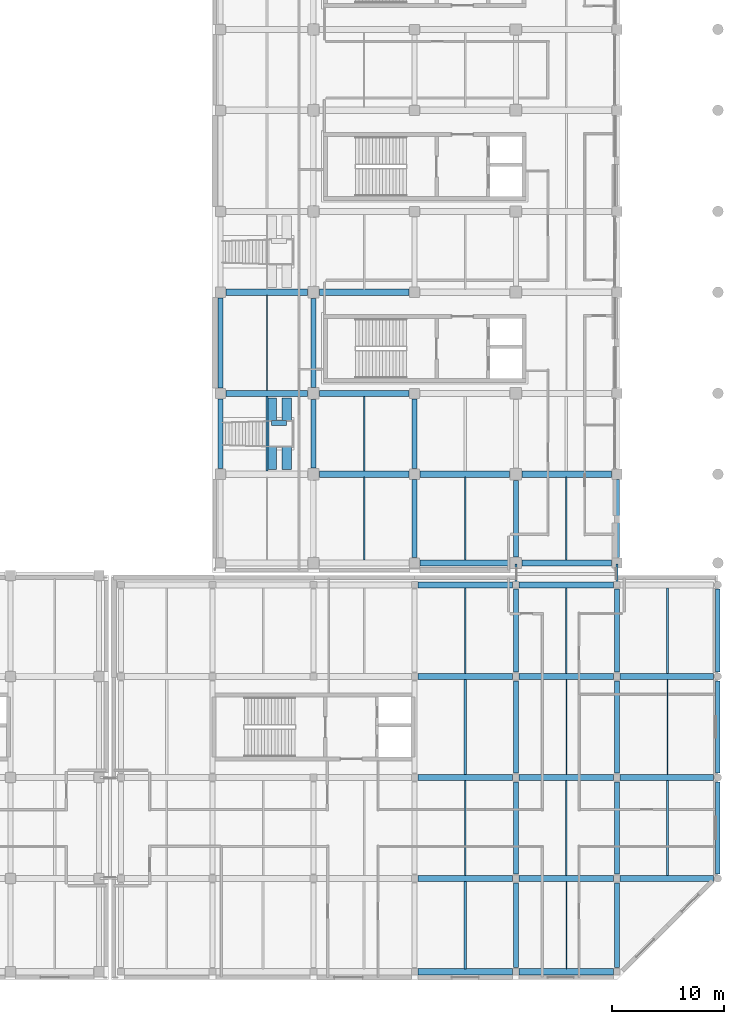
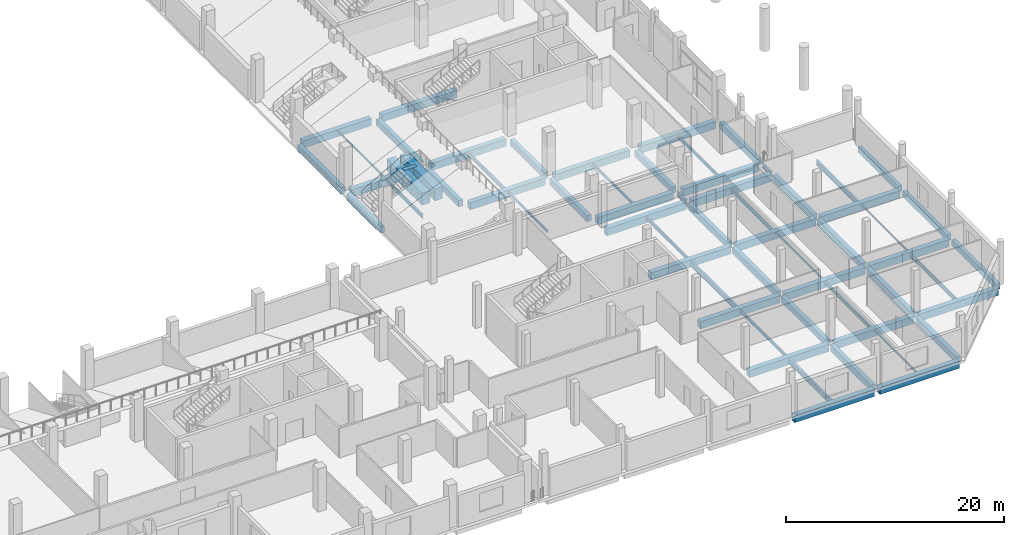
# One storey, part 21 of 100: 63 beams.
"""IFC4 building model written with IfcOpenShell, lengths in metres."""

from ifc_helpers import new_model, si_unit, direction, frame, origin, origin_2d, place, context, subcontext, project, spatial, rectangle, hollow_rectangle, i_section, extrude, material, material_profile, profile_set, type_object, element, save


model = new_model("IFC4")

# Units and contexts
model_context = context("Model", 3, precision=1e-05, world=origin(), true_north=direction((0.0, 1.0)))
body_context = subcontext(model_context, "Body", "Model", "MODEL_VIEW")
ifc_project = project(units=[si_unit("LENGTHUNIT", "METRE"), si_unit("AREAUNIT", "SQUARE_METRE"), si_unit("VOLUMEUNIT", "CUBIC_METRE"), si_unit("PLANEANGLEUNIT", "RADIAN"), si_unit("MASSUNIT", "GRAM", prefix="KILO"), si_unit("THERMODYNAMICTEMPERATUREUNIT", "KELVIN"), si_unit("POWERUNIT", "WATT")], contexts=[model_context])

# Site, building, storey
site_placement = place(None, origin())
site = spatial("IfcSite", under=ifc_project, at=site_placement, CompositionType="ELEMENT")
building_placement = place(site_placement, origin())
building = spatial("IfcBuilding", under=site, at=building_placement, Name="Sindhuravela Promenade Stadium", CompositionType="ELEMENT")
storey_placement = place(building_placement, frame((0.0, 0.0, 4.800048828125)))
storey = spatial("IfcBuildingStorey", under=building, at=storey_placement, Name="L01", CompositionType="ELEMENT", Elevation=4.800048828125)

# Beams
ifc_material_1 = material(Name="Concrete M40", Category="concrete")
ifc_material_profile_1 = material_profile(ifc_material_1, rectangle(XDim=0.39990234375, YDim=0.64990234375, at=origin_2d()), Name="RC 400x650")
ifc_profile_set_1 = profile_set([ifc_material_profile_1], Name="Concrete M40")
beam_type_1 = type_object("IfcBeamType", Name="RC-BM-400x650", PredefinedType="SPANDREL", material=ifc_profile_set_1)
for number, where, z_axis, x_axis, name in (
    (1, (216.0, 9.389892578125, -0.625), (0.0, 1.0, 0.0), (-1.0, 0.0, 0.0), "Primary beam SP01 Pavilion SE L01"),
    (2, (216.0, 18.389892578125, -0.625), (0.0, 1.0, 0.0), (-1.0, 0.0, 0.0), "Primary beam SP01 Pavilion SE L01"),
):
    element("IfcBeam", number, at=place(storey_placement, frame(where, z_axis=z_axis, x_axis=x_axis)), inside=storey, type_object=beam_type_1, Name=name, PredefinedType="SPANDREL", context=body_context, shape_type="SweptSolid", body=[
        extrude(rectangle(XDim=0.39990234375, YDim=0.64990234375, at=origin_2d()), origin(), (0.0, 0.0, 1.0), 8.22021484375),
    ])
beam_1_placement = place(storey_placement, frame((216.0, 27.389892578125, -0.625), z_axis=(0.0, 1.0, 0.0), x_axis=(-1.0, 0.0, 0.0)))
element("IfcBeam", 3, at=beam_1_placement, inside=storey, type_object=beam_type_1, Name="Primary beam SP01 Pavilion SE L01", PredefinedType="SPANDREL", context=body_context, shape_type="SweptSolid", body=[
    extrude(rectangle(XDim=0.39990234375, YDim=0.64990234375, at=origin_2d()), origin(), (0.0, 0.0, 1.0), 7.3701171875),
])
ifc_material_profile_2 = material_profile(ifc_material_1, rectangle(XDim=0.449951171875, YDim=0.699951171875, at=origin_2d()), Name="RC 450x700")
ifc_profile_set_2 = profile_set([ifc_material_profile_2], Name="Concrete M40")
beam_type_2 = type_object("IfcBeamType", Name="RC-BM-450x700", PredefinedType="BEAM", material=ifc_profile_set_2)
beam_2_placement = place(storey_placement, frame((171.699951171875, 45.489990234375, -0.650146484375), z_axis=(0.0, 1.0, 0.0), x_axis=(-1.0, 0.0, 0.0)))
element("IfcBeam", 4, at=beam_2_placement, inside=storey, type_object=beam_type_2, Name="Primary beam GB07 EAST L01", PredefinedType="BEAM", context=body_context, shape_type="SweptSolid", body=[
    extrude(rectangle(XDim=0.449951171875, YDim=0.699951171875, at=origin_2d()), origin(), (0.0, 0.0, 1.0), 6.219970703125),
])
beam_3_placement = place(storey_placement, frame((171.699951171875, 52.68994140625, -0.650146484375), z_axis=(0.0, 1.0, 0.0), x_axis=(-1.0, 0.0, 0.0)))
element("IfcBeam", 5, at=beam_3_placement, inside=storey, type_object=beam_type_2, Name="Primary beam GB07 EAST L01", PredefinedType="BEAM", context=body_context, shape_type="SweptSolid", body=[
    extrude(rectangle(XDim=0.449951171875, YDim=0.699951171875, at=origin_2d()), origin(), (0.0, 0.0, 1.0), 8.02001953125),
])
beam_4_placement = place(storey_placement, frame((180.0, 45.5400390625, -0.650146484375), z_axis=(0.0, 1.0, 0.0), x_axis=(-1.0, 0.0, 0.0)))
element("IfcBeam", 6, at=beam_4_placement, inside=storey, type_object=beam_type_2, Name="Primary beam GB07 EAST L01", PredefinedType="BEAM", context=body_context, shape_type="SweptSolid", body=[
    extrude(rectangle(XDim=0.449951171875, YDim=0.699951171875, at=origin_2d()), origin(), (0.0, 0.0, 1.0), 6.119873046875),
])
beam_5_placement = place(storey_placement, frame((180.0, 52.739990234375, -0.650146484375), z_axis=(0.0, 1.0, 0.0), x_axis=(-1.0, 0.0, 0.0)))
element("IfcBeam", 7, at=beam_5_placement, inside=storey, type_object=beam_type_2, Name="Primary beam GB07 EAST L01", PredefinedType="BEAM", context=body_context, shape_type="SweptSolid", body=[
    extrude(rectangle(XDim=0.449951171875, YDim=0.699951171875, at=origin_2d()), origin(), (0.0, 0.0, 1.0), 7.919921875),
])
beam_6_placement = place(storey_placement, frame((189.0, 37.590087890625, -0.650146484375), z_axis=(0.0, 1.0, 0.0), x_axis=(-1.0, 0.0, 0.0)))
element("IfcBeam", 8, at=beam_6_placement, inside=storey, type_object=beam_type_2, Name="Primary beam GB07 EAST L01", PredefinedType="BEAM", context=body_context, shape_type="SweptSolid", body=[
    extrude(rectangle(XDim=0.449951171875, YDim=0.699951171875, at=origin_2d()), origin(), (0.0, 0.0, 1.0), 6.919921875),
])
beam_7_placement = place(storey_placement, frame((189.0, 45.489990234375, -0.650146484375), z_axis=(0.0, 1.0, 0.0), x_axis=(-1.0, 0.0, 0.0)))
element("IfcBeam", 9, at=beam_7_placement, inside=storey, type_object=beam_type_2, Name="Primary beam GB07 EAST L01", PredefinedType="BEAM", context=body_context, shape_type="SweptSolid", body=[
    extrude(rectangle(XDim=0.449951171875, YDim=0.699951171875, at=origin_2d()), origin(), (0.0, 0.0, 1.0), 6.219970703125),
])
beam_8_placement = place(storey_placement, frame((198.0, 37.639892578125, -0.650146484375), z_axis=(0.0, 1.0, 0.0), x_axis=(-1.0, 0.0, 0.0)))
element("IfcBeam", 10, at=beam_8_placement, inside=storey, type_object=beam_type_2, Name="Primary beam GB07 EAST L01", PredefinedType="BEAM", context=body_context, shape_type="SweptSolid", body=[
    extrude(rectangle(XDim=0.449951171875, YDim=0.699951171875, at=origin_2d()), origin(), (0.0, 0.0, 1.0), 6.820068359375),
])
beam_9_placement = place(storey_placement, frame((207.0, 37.590087890625, -0.650146484375), z_axis=(0.0, 1.0, 0.0), x_axis=(-1.0, 0.0, 0.0)))
element("IfcBeam", 11, at=beam_9_placement, inside=storey, type_object=beam_type_2, Name="Primary beam GB07 EAST L01", PredefinedType="BEAM", context=body_context, shape_type="SweptSolid", body=[
    extrude(rectangle(XDim=0.449951171875, YDim=0.699951171875, at=origin_2d()), origin(), (0.0, 0.0, 1.0), 6.919921875),
])
beam_10_placement = place(storey_placement, frame((198.0, 1.090087890625, -0.650146484375), z_axis=(0.0, 1.0, 0.0), x_axis=(-1.0, 0.0, 0.0)))
element("IfcBeam", 12, at=beam_10_placement, inside=storey, type_object=beam_type_2, Name="Primary beam GB07 Pavilion SE L01", PredefinedType="BEAM", context=body_context, shape_type="SweptSolid", body=[
    extrude(rectangle(XDim=0.449951171875, YDim=0.699951171875, at=origin_2d()), origin(), (0.0, 0.0, 1.0), 7.52001953125),
])
for number, where, z_axis, x_axis, name in (
    (13, (198.0, 9.389892578125, -0.650146484375), (0.0, 1.0, 0.0), (-1.0, 0.0, 0.0), "Primary beam GB07 Pavilion SE L01"),
    (14, (198.0, 18.389892578125, -0.650146484375), (0.0, 1.0, 0.0), (-1.0, 0.0, 0.0), "Primary beam GB07 Pavilion SE L01"),
):
    element("IfcBeam", number, at=place(storey_placement, frame(where, z_axis=z_axis, x_axis=x_axis)), inside=storey, type_object=beam_type_2, Name=name, PredefinedType="BEAM", context=body_context, shape_type="SweptSolid", body=[
        extrude(rectangle(XDim=0.449951171875, YDim=0.699951171875, at=origin_2d()), origin(), (0.0, 0.0, 1.0), 8.22021484375),
    ])
beam_11_placement = place(storey_placement, frame((198.0, 27.389892578125, -0.650146484375), z_axis=(0.0, 1.0, 0.0), x_axis=(-1.0, 0.0, 0.0)))
element("IfcBeam", 15, at=beam_11_placement, inside=storey, type_object=beam_type_2, Name="Primary beam GB07 Pavilion SE L01", PredefinedType="BEAM", context=body_context, shape_type="SweptSolid", body=[
    extrude(rectangle(XDim=0.449951171875, YDim=0.699951171875, at=origin_2d()), origin(), (0.0, 0.0, 1.0), 7.3701171875),
])
beam_12_placement = place(storey_placement, frame((207.0, 1.090087890625, -0.650146484375), z_axis=(0.0, 1.0, 0.0), x_axis=(-1.0, 0.0, 0.0)))
element("IfcBeam", 16, at=beam_12_placement, inside=storey, type_object=beam_type_2, Name="Primary beam GB07 Pavilion SE L01", PredefinedType="BEAM", context=body_context, shape_type="SweptSolid", body=[
    extrude(rectangle(XDim=0.449951171875, YDim=0.699951171875, at=origin_2d()), origin(), (0.0, 0.0, 1.0), 7.52001953125),
])
for number, where, z_axis, x_axis, name in (
    (17, (207.0, 9.389892578125, -0.650146484375), (0.0, 1.0, 0.0), (-1.0, 0.0, 0.0), "Primary beam GB07 Pavilion SE L01"),
    (18, (207.0, 18.389892578125, -0.650146484375), (0.0, 1.0, 0.0), (-1.0, 0.0, 0.0), "Primary beam GB07 Pavilion SE L01"),
):
    element("IfcBeam", number, at=place(storey_placement, frame(where, z_axis=z_axis, x_axis=x_axis)), inside=storey, type_object=beam_type_2, Name=name, PredefinedType="BEAM", context=body_context, shape_type="SweptSolid", body=[
        extrude(rectangle(XDim=0.449951171875, YDim=0.699951171875, at=origin_2d()), origin(), (0.0, 0.0, 1.0), 8.22021484375),
    ])
beam_13_placement = place(storey_placement, frame((207.0, 27.389892578125, -0.650146484375), z_axis=(0.0, 1.0, 0.0), x_axis=(-1.0, 0.0, 0.0)))
element("IfcBeam", 19, at=beam_13_placement, inside=storey, type_object=beam_type_2, Name="Primary beam GB07 Pavilion SE L01", PredefinedType="BEAM", context=body_context, shape_type="SweptSolid", body=[
    extrude(rectangle(XDim=0.449951171875, YDim=0.699951171875, at=origin_2d()), origin(), (0.0, 0.0, 1.0), 7.3701171875),
])
beam_14_placement = place(storey_placement, frame((176.25, 49.580078125, 1.655029296875), z_axis=(1.0, 0.0, 0.0), x_axis=(0.0, 1.0, 0.0)))
element("IfcBeam", 20, at=beam_14_placement, inside=storey, type_object=beam_type_2, Name="Vomitory VS05 landing edge stringer", PredefinedType="BEAM", context=body_context, shape_type="SweptSolid", body=[
    extrude(rectangle(XDim=0.449951171875, YDim=0.699951171875, at=origin_2d()), origin(), (0.0, 0.0, 1.0), 1.35009765625),
])
ifc_material_profile_3 = material_profile(ifc_material_1, rectangle(XDim=0.550048828125, YDim=0.800048828125, at=origin_2d()), Name="RC 550x800")
ifc_profile_set_3 = profile_set([ifc_material_profile_3], Name="Concrete M40")
beam_type_3 = type_object("IfcBeamType", Name="RC-BM-550x800", PredefinedType="BEAM", material=ifc_profile_set_3)
for number, where, z_axis, x_axis, name in (
    (21, (189.489990234375, 37.10009765625, -0.699951171875), (1.0, 0.0, 0.0), (0.0, 1.0, 0.0), "Primary girder GB05 EAST L01"),
    (22, (198.5400390625, 37.10009765625, -0.699951171875), (1.0, 0.0, 0.0), (0.0, 1.0, 0.0), "Primary girder GB05 EAST L01"),
    (23, (180.5400390625, 45.0, -0.699951171875), (1.0, 0.0, 0.0), (0.0, 1.0, 0.0), "Primary girder GB05 EAST L01"),
    (24, (189.489990234375, 45.0, -0.699951171875), (1.0, 0.0, 0.0), (0.0, 1.0, 0.0), "Primary girder GB05 EAST L01"),
    (25, (198.5400390625, 45.0, -0.699951171875), (1.0, 0.0, 0.0), (0.0, 1.0, 0.0), "Primary girder GB05 EAST L01"),
):
    element("IfcBeam", number, at=place(storey_placement, frame(where, z_axis=z_axis, x_axis=x_axis)), inside=storey, type_object=beam_type_3, Name=name, PredefinedType="BEAM", context=body_context, shape_type="SweptSolid", body=[
        extrude(rectangle(XDim=0.550048828125, YDim=0.800048828125, at=origin_2d()), origin(), (0.0, 0.0, 1.0), 7.969970703125),
    ])
beam_15_placement = place(storey_placement, frame((172.18994140625, 52.199951171875, -0.699951171875), z_axis=(1.0, 0.0, 0.0), x_axis=(0.0, 1.0, 0.0)))
element("IfcBeam", 26, at=beam_15_placement, inside=storey, type_object=beam_type_3, Name="Primary girder GB05 EAST L01", PredefinedType="BEAM", context=body_context, shape_type="SweptSolid", body=[
    extrude(rectangle(XDim=0.550048828125, YDim=0.800048828125, at=origin_2d()), origin(), (0.0, 0.0, 1.0), 7.27001953125),
])
beam_16_placement = place(storey_placement, frame((180.5400390625, 52.199951171875, -0.699951171875), z_axis=(1.0, 0.0, 0.0), x_axis=(0.0, 1.0, 0.0)))
element("IfcBeam", 27, at=beam_16_placement, inside=storey, type_object=beam_type_3, Name="Primary girder GB05 EAST L01", PredefinedType="BEAM", context=body_context, shape_type="SweptSolid", body=[
    extrude(rectangle(XDim=0.550048828125, YDim=0.800048828125, at=origin_2d()), origin(), (0.0, 0.0, 1.0), 7.969970703125),
])
beam_17_placement = place(storey_placement, frame((172.18994140625, 61.199951171875, -0.699951171875), z_axis=(1.0, 0.0, 0.0), x_axis=(0.0, 1.0, 0.0)))
element("IfcBeam", 28, at=beam_17_placement, inside=storey, type_object=beam_type_3, Name="Primary girder GB05 EAST L01", PredefinedType="BEAM", context=body_context, shape_type="SweptSolid", body=[
    extrude(rectangle(XDim=0.550048828125, YDim=0.800048828125, at=origin_2d()), origin(), (0.0, 0.0, 1.0), 7.27001953125),
])
beam_18_placement = place(storey_placement, frame((180.5400390625, 61.199951171875, -0.699951171875), z_axis=(1.0, 0.0, 0.0), x_axis=(0.0, 1.0, 0.0)))
element("IfcBeam", 29, at=beam_18_placement, inside=storey, type_object=beam_type_3, Name="Primary girder GB05 EAST L01", PredefinedType="BEAM", context=body_context, shape_type="SweptSolid", body=[
    extrude(rectangle(XDim=0.550048828125, YDim=0.800048828125, at=origin_2d()), origin(), (0.0, 0.0, 1.0), 7.969970703125),
])
for number, where, z_axis, x_axis, name in (
    (30, (189.2900390625, 0.699951171875, -0.699951171875), (1.0, 0.0, 0.0), (0.0, 1.0, 0.0), "Primary girder GB05 Pavilion SE L01"),
    (31, (198.2900390625, 0.699951171875, -0.699951171875), (1.0, 0.0, 0.0), (0.0, 1.0, 0.0), "Primary girder GB05 Pavilion SE L01"),
    (32, (189.2900390625, 9.0, -0.699951171875), (1.0, 0.0, 0.0), (0.0, 1.0, 0.0), "Primary girder GB05 Pavilion SE L01"),
    (33, (198.2900390625, 9.0, -0.699951171875), (1.0, 0.0, 0.0), (0.0, 1.0, 0.0), "Primary girder GB05 Pavilion SE L01"),
):
    element("IfcBeam", number, at=place(storey_placement, frame(where, z_axis=z_axis, x_axis=x_axis)), inside=storey, type_object=beam_type_3, Name=name, PredefinedType="BEAM", context=body_context, shape_type="SweptSolid", body=[
        extrude(rectangle(XDim=0.550048828125, YDim=0.800048828125, at=origin_2d()), origin(), (0.0, 0.0, 1.0), 8.419921875),
    ])
beam_19_placement = place(storey_placement, frame((207.2900390625, 9.0, -0.699951171875), z_axis=(1.0, 0.0, 0.0), x_axis=(0.0, 1.0, 0.0)))
element("IfcBeam", 34, at=beam_19_placement, inside=storey, type_object=beam_type_3, Name="Primary girder GB05 Pavilion SE L01", PredefinedType="BEAM", context=body_context, shape_type="SweptSolid", body=[
    extrude(rectangle(XDim=0.550048828125, YDim=0.800048828125, at=origin_2d()), origin(), (0.0, 0.0, 1.0), 8.320068359375),
])
for number, where, z_axis, x_axis, name in (
    (35, (189.2900390625, 18.0, -0.699951171875), (1.0, 0.0, 0.0), (0.0, 1.0, 0.0), "Primary girder GB05 Pavilion SE L01"),
    (36, (198.2900390625, 18.0, -0.699951171875), (1.0, 0.0, 0.0), (0.0, 1.0, 0.0), "Primary girder GB05 Pavilion SE L01"),
):
    element("IfcBeam", number, at=place(storey_placement, frame(where, z_axis=z_axis, x_axis=x_axis)), inside=storey, type_object=beam_type_3, Name=name, PredefinedType="BEAM", context=body_context, shape_type="SweptSolid", body=[
        extrude(rectangle(XDim=0.550048828125, YDim=0.800048828125, at=origin_2d()), origin(), (0.0, 0.0, 1.0), 8.419921875),
    ])
beam_20_placement = place(storey_placement, frame((207.2900390625, 18.0, -0.699951171875), z_axis=(1.0, 0.0, 0.0), x_axis=(0.0, 1.0, 0.0)))
element("IfcBeam", 37, at=beam_20_placement, inside=storey, type_object=beam_type_3, Name="Primary girder GB05 Pavilion SE L01", PredefinedType="BEAM", context=body_context, shape_type="SweptSolid", body=[
    extrude(rectangle(XDim=0.550048828125, YDim=0.800048828125, at=origin_2d()), origin(), (0.0, 0.0, 1.0), 8.320068359375),
])
for number, where, z_axis, x_axis, name in (
    (38, (189.2900390625, 27.0, -0.699951171875), (1.0, 0.0, 0.0), (0.0, 1.0, 0.0), "Primary girder GB05 Pavilion SE L01"),
    (39, (198.2900390625, 27.0, -0.699951171875), (1.0, 0.0, 0.0), (0.0, 1.0, 0.0), "Primary girder GB05 Pavilion SE L01"),
):
    element("IfcBeam", number, at=place(storey_placement, frame(where, z_axis=z_axis, x_axis=x_axis)), inside=storey, type_object=beam_type_3, Name=name, PredefinedType="BEAM", context=body_context, shape_type="SweptSolid", body=[
        extrude(rectangle(XDim=0.550048828125, YDim=0.800048828125, at=origin_2d()), origin(), (0.0, 0.0, 1.0), 8.419921875),
    ])
beam_21_placement = place(storey_placement, frame((207.2900390625, 27.0, -0.699951171875), z_axis=(1.0, 0.0, 0.0), x_axis=(0.0, 1.0, 0.0)))
element("IfcBeam", 40, at=beam_21_placement, inside=storey, type_object=beam_type_3, Name="Primary girder GB05 Pavilion SE L01", PredefinedType="BEAM", context=body_context, shape_type="SweptSolid", body=[
    extrude(rectangle(XDim=0.550048828125, YDim=0.800048828125, at=origin_2d()), origin(), (0.0, 0.0, 1.0), 8.320068359375),
])
for number, where, z_axis, x_axis, name in (
    (41, (189.2900390625, 35.14990234375, -0.699951171875), (1.0, 0.0, 0.0), (0.0, 1.0, 0.0), "Primary girder GB05 Pavilion SE L01"),
    (42, (198.2900390625, 35.14990234375, -0.699951171875), (1.0, 0.0, 0.0), (0.0, 1.0, 0.0), "Primary girder GB05 Pavilion SE L01"),
):
    element("IfcBeam", number, at=place(storey_placement, frame(where, z_axis=z_axis, x_axis=x_axis)), inside=storey, type_object=beam_type_3, Name=name, PredefinedType="BEAM", context=body_context, shape_type="SweptSolid", body=[
        extrude(rectangle(XDim=0.550048828125, YDim=0.800048828125, at=origin_2d()), origin(), (0.0, 0.0, 1.0), 8.419921875),
    ])
ifc_material_2 = material(Name="Concrete M50", Category="concrete")
ifc_material_profile_4 = material_profile(ifc_material_2, rectangle(XDim=0.85009765625, YDim=1.35009765625, at=origin_2d()), Name="RC 850x1350")
ifc_profile_set_4 = profile_set([ifc_material_profile_4], Name="Concrete M50")
beam_type_4 = type_object("IfcBeamType", Name="RC-RK-850x1350", PredefinedType="USERDEFINED", material=ifc_profile_set_4)
for number, where, z_axis, x_axis, name in (
    (43, (176.25, 45.4150390625, 1.329833984375), (0.0, 1.0, 0.0), (-1.0, 0.0, 0.0), "Vomitory VS05 landing trimmer beam 1"),
    (44, (177.60009765625, 45.4150390625, 1.329833984375), (0.0, 1.0, 0.0), (-1.0, 0.0, 0.0), "Vomitory VS05 landing trimmer beam 2"),
):
    element("IfcBeam", number, at=place(storey_placement, frame(where, z_axis=z_axis, x_axis=x_axis)), inside=storey, type_object=beam_type_4, Name=name, ObjectType="RAKER", PredefinedType="USERDEFINED", context=body_context, shape_type="SweptSolid", body=[
        extrude(rectangle(XDim=0.85009765625, YDim=1.35009765625, at=origin_2d()), origin(), (0.0, 0.0, 1.0), 6.369873046875),
    ])
ifc_material_3 = material(Name="Steel E350 (IS 2062 E350BR)", Category="steel")
ifc_material_profile_5 = material_profile(ifc_material_3, hollow_rectangle(XDim=0.10009765625, YDim=0.199951171875, WallThickness=0.008056640625, at=origin_2d()), Name="RHS 200x100x8")
ifc_profile_set_5 = profile_set([ifc_material_profile_5], Name="Steel E350 (IS 2062 E350BR)")
beam_type_5 = type_object("IfcBeamType", Name="ST-BM-LNT200", PredefinedType="LINTEL", material=ifc_profile_set_5)
beam_22_placement = place(storey_placement, frame((175.85009765625, 52.465087890625, -0.400146484375), z_axis=(0.0, 1.0, 0.0), x_axis=(-1.0, 0.0, 0.0)))
element("IfcBeam", 45, at=beam_22_placement, inside=storey, type_object=beam_type_5, Name="Secondary floor joist LN01 EAST L01", PredefinedType="LINTEL", context=body_context, shape_type="SweptSolid", body=[
    extrude(hollow_rectangle(XDim=0.10009765625, YDim=0.199951171875, WallThickness=0.008056640625, at=origin_2d()), origin(), (0.0, 0.0, 1.0), 8.469970703125),
])
beam_23_placement = place(storey_placement, frame((202.5, 0.965087890625, -0.400146484375), z_axis=(0.0, 1.0, 0.0), x_axis=(-1.0, 0.0, 0.0)))
element("IfcBeam", 46, at=beam_23_placement, inside=storey, type_object=beam_type_5, Name="Secondary floor joist LN01 Pavilion SE L01", PredefinedType="LINTEL", context=body_context, shape_type="SweptSolid", body=[
    extrude(hollow_rectangle(XDim=0.10009765625, YDim=0.199951171875, WallThickness=0.008056640625, at=origin_2d()), origin(), (0.0, 0.0, 1.0), 7.77001953125),
])
beam_24_placement = place(storey_placement, frame((202.5, 18.264892578125, -0.400146484375), z_axis=(0.0, 1.0, 0.0), x_axis=(-1.0, 0.0, 0.0)))
element("IfcBeam", 47, at=beam_24_placement, inside=storey, type_object=beam_type_5, Name="Secondary floor joist LN01 Pavilion SE L01", PredefinedType="LINTEL", context=body_context, shape_type="SweptSolid", body=[
    extrude(hollow_rectangle(XDim=0.10009765625, YDim=0.199951171875, WallThickness=0.008056640625, at=origin_2d()), origin(), (0.0, 0.0, 1.0), 8.47021484375),
])
ifc_material_profile_6 = material_profile(ifc_material_3, i_section(OverallWidth=0.10009765625, OverallDepth=0.199951171875, WebThickness=0.005615234375, FlangeThickness=0.0107421875, FilletRadius=0.010986328125, at=origin_2d()), Name="ISMB 200")
ifc_profile_set_6 = profile_set([ifc_material_profile_6], Name="Steel E350 (IS 2062 E350BR)")
beam_type_6 = type_object("IfcBeamType", Name="ST-BM-MB200", PredefinedType="JOIST", material=ifc_profile_set_6)
beam_25_placement = place(storey_placement, frame((211.5, 18.264892578125, -0.400146484375), z_axis=(0.0, 1.0, 0.0), x_axis=(-1.0, 0.0, 0.0)))
element("IfcBeam", 48, at=beam_25_placement, inside=storey, type_object=beam_type_6, Name="Secondary floor joist SB01 Pavilion SE L01", PredefinedType="JOIST", context=body_context, shape_type="SweptSolid", body=[
    extrude(i_section(OverallWidth=0.10009765625, OverallDepth=0.199951171875, WebThickness=0.005615234375, FlangeThickness=0.0107421875, FilletRadius=0.010986328125, at=origin_2d()), origin(), (0.0, 0.0, 1.0), 8.47021484375),
])
ifc_material_profile_7 = material_profile(ifc_material_3, i_section(OverallWidth=0.125, OverallDepth=0.25, WebThickness=0.0068359375, FlangeThickness=0.012451171875, FilletRadius=0.012939453125, at=origin_2d()), Name="ISMB 250")
ifc_profile_set_7 = profile_set([ifc_material_profile_7], Name="Steel E350 (IS 2062 E350BR)")
beam_type_7 = type_object("IfcBeamType", Name="ST-BM-MB250", PredefinedType="JOIST", material=ifc_profile_set_7)
beam_26_placement = place(storey_placement, frame((184.5, 37.364990234375, -0.425048828125), z_axis=(0.0, 1.0, 0.0), x_axis=(-1.0, 0.0, 0.0)))
element("IfcBeam", 49, at=beam_26_placement, inside=storey, type_object=beam_type_7, Name="Secondary floor joist SB02 EAST L01", PredefinedType="JOIST", context=body_context, shape_type="SweptSolid", body=[
    extrude(i_section(OverallWidth=0.125, OverallDepth=0.25, WebThickness=0.0068359375, FlangeThickness=0.012451171875, FilletRadius=0.012939453125, at=origin_2d()), origin(), (0.0, 0.0, 1.0), 7.3701171875),
])
ifc_material_profile_8 = material_profile(ifc_material_3, i_section(OverallWidth=0.139892578125, OverallDepth=0.300048828125, WebThickness=0.0078125, FlangeThickness=0.01318359375, FilletRadius=0.013916015625, at=origin_2d()), Name="ISMB 300")
ifc_profile_set_8 = profile_set([ifc_material_profile_8], Name="Steel E350 (IS 2062 E350BR)")
beam_type_8 = type_object("IfcBeamType", Name="ST-BM-MB300", PredefinedType="JOIST", material=ifc_profile_set_8)
beam_27_placement = place(storey_placement, frame((193.5, 37.364990234375, -0.449951171875), z_axis=(0.0, 1.0, 0.0), x_axis=(-1.0, 0.0, 0.0)))
element("IfcBeam", 50, at=beam_27_placement, inside=storey, type_object=beam_type_8, Name="Secondary floor joist SB03 EAST L01", PredefinedType="JOIST", context=body_context, shape_type="SweptSolid", body=[
    extrude(i_section(OverallWidth=0.139892578125, OverallDepth=0.300048828125, WebThickness=0.0078125, FlangeThickness=0.01318359375, FilletRadius=0.013916015625, at=origin_2d()), origin(), (0.0, 0.0, 1.0), 7.3701171875),
])
ifc_material_profile_9 = material_profile(ifc_material_3, i_section(OverallWidth=0.139892578125, OverallDepth=0.35009765625, WebThickness=0.008056640625, FlangeThickness=0.01416015625, FilletRadius=0.013916015625, at=origin_2d()), Name="ISMB 350")
ifc_profile_set_9 = profile_set([ifc_material_profile_9], Name="Steel E350 (IS 2062 E350BR)")
beam_type_9 = type_object("IfcBeamType", Name="ST-BM-MB350", PredefinedType="JOIST", material=ifc_profile_set_9)
beam_28_placement = place(storey_placement, frame((202.5, 37.364990234375, -0.47509765625), z_axis=(0.0, 1.0, 0.0), x_axis=(-1.0, 0.0, 0.0)))
element("IfcBeam", 51, at=beam_28_placement, inside=storey, type_object=beam_type_9, Name="Secondary floor joist SB04 EAST L01", PredefinedType="JOIST", context=body_context, shape_type="SweptSolid", body=[
    extrude(i_section(OverallWidth=0.139892578125, OverallDepth=0.35009765625, WebThickness=0.008056640625, FlangeThickness=0.01416015625, FilletRadius=0.013916015625, at=origin_2d()), origin(), (0.0, 0.0, 1.0), 7.3701171875),
])
beam_29_placement = place(storey_placement, frame((193.5, 9.264892578125, -0.47509765625), z_axis=(0.0, 1.0, 0.0), x_axis=(-1.0, 0.0, 0.0)))
element("IfcBeam", 52, at=beam_29_placement, inside=storey, type_object=beam_type_9, Name="Secondary floor joist SB04 Pavilion SE L01", PredefinedType="JOIST", context=body_context, shape_type="SweptSolid", body=[
    extrude(i_section(OverallWidth=0.139892578125, OverallDepth=0.35009765625, WebThickness=0.008056640625, FlangeThickness=0.01416015625, FilletRadius=0.013916015625, at=origin_2d()), origin(), (0.0, 0.0, 1.0), 8.47021484375),
])
ifc_material_profile_10 = material_profile(ifc_material_3, i_section(OverallWidth=0.139892578125, OverallDepth=0.39990234375, WebThickness=0.0087890625, FlangeThickness=0.01611328125, FilletRadius=0.013916015625, at=origin_2d()), Name="ISMB 400")
ifc_profile_set_10 = profile_set([ifc_material_profile_10], Name="Steel E350 (IS 2062 E350BR)")
beam_type_10 = type_object("IfcBeamType", Name="ST-BM-MB400", PredefinedType="BEAM", material=ifc_profile_set_10)
beam_30_placement = place(storey_placement, frame((175.85009765625, 45.264892578125, -0.5), z_axis=(0.0, 1.0, 0.0), x_axis=(-1.0, 0.0, 0.0)))
element("IfcBeam", 53, at=beam_30_placement, inside=storey, type_object=beam_type_10, Name="Secondary floor joist SB05 EAST L01", PredefinedType="BEAM", context=body_context, shape_type="SweptSolid", body=[
    extrude(i_section(OverallWidth=0.139892578125, OverallDepth=0.39990234375, WebThickness=0.0087890625, FlangeThickness=0.01611328125, FilletRadius=0.013916015625, at=origin_2d()), origin(), (0.0, 0.0, 1.0), 6.670166015625),
])
beam_31_placement = place(storey_placement, frame((202.5, 9.264892578125, -0.5), z_axis=(0.0, 1.0, 0.0), x_axis=(-1.0, 0.0, 0.0)))
element("IfcBeam", 54, at=beam_31_placement, inside=storey, type_object=beam_type_10, Name="Secondary floor joist SB05 Pavilion SE L01", PredefinedType="BEAM", context=body_context, shape_type="SweptSolid", body=[
    extrude(i_section(OverallWidth=0.139892578125, OverallDepth=0.39990234375, WebThickness=0.0087890625, FlangeThickness=0.01611328125, FilletRadius=0.013916015625, at=origin_2d()), origin(), (0.0, 0.0, 1.0), 8.47021484375),
])
beam_32_placement = place(storey_placement, frame((193.5, 27.264892578125, -0.5), z_axis=(0.0, 1.0, 0.0), x_axis=(-1.0, 0.0, 0.0)))
element("IfcBeam", 55, at=beam_32_placement, inside=storey, type_object=beam_type_10, Name="Secondary floor joist SB05 Pavilion SE L01", PredefinedType="BEAM", context=body_context, shape_type="SweptSolid", body=[
    extrude(i_section(OverallWidth=0.139892578125, OverallDepth=0.39990234375, WebThickness=0.0087890625, FlangeThickness=0.01611328125, FilletRadius=0.013916015625, at=origin_2d()), origin(), (0.0, 0.0, 1.0), 7.6201171875),
])
ifc_material_profile_11 = material_profile(ifc_material_3, i_section(OverallWidth=0.14990234375, OverallDepth=0.449951171875, WebThickness=0.009521484375, FlangeThickness=0.017333984375, FilletRadius=0.014892578125, at=origin_2d()), Name="ISMB 450")
ifc_profile_set_11 = profile_set([ifc_material_profile_11], Name="Steel E350 (IS 2062 E350BR)")
beam_type_11 = type_object("IfcBeamType", Name="ST-BM-MB450", PredefinedType="BEAM", material=ifc_profile_set_11)
beam_33_placement = place(storey_placement, frame((184.5, 45.264892578125, -0.525146484375), z_axis=(0.0, 1.0, 0.0), x_axis=(-1.0, 0.0, 0.0)))
element("IfcBeam", 56, at=beam_33_placement, inside=storey, type_object=beam_type_11, Name="Secondary floor joist SB06 EAST L01", PredefinedType="BEAM", context=body_context, shape_type="SweptSolid", body=[
    extrude(i_section(OverallWidth=0.14990234375, OverallDepth=0.449951171875, WebThickness=0.009521484375, FlangeThickness=0.017333984375, FilletRadius=0.014892578125, at=origin_2d()), origin(), (0.0, 0.0, 1.0), 6.670166015625),
])
beam_34_placement = place(storey_placement, frame((211.5, 9.264892578125, -0.525146484375), z_axis=(0.0, 1.0, 0.0), x_axis=(-1.0, 0.0, 0.0)))
element("IfcBeam", 57, at=beam_34_placement, inside=storey, type_object=beam_type_11, Name="Secondary floor joist SB06 Pavilion SE L01", PredefinedType="BEAM", context=body_context, shape_type="SweptSolid", body=[
    extrude(i_section(OverallWidth=0.14990234375, OverallDepth=0.449951171875, WebThickness=0.009521484375, FlangeThickness=0.017333984375, FilletRadius=0.014892578125, at=origin_2d()), origin(), (0.0, 0.0, 1.0), 8.47021484375),
])
beam_35_placement = place(storey_placement, frame((202.5, 27.264892578125, -0.525146484375), z_axis=(0.0, 1.0, 0.0), x_axis=(-1.0, 0.0, 0.0)))
element("IfcBeam", 58, at=beam_35_placement, inside=storey, type_object=beam_type_11, Name="Secondary floor joist SB06 Pavilion SE L01", PredefinedType="BEAM", context=body_context, shape_type="SweptSolid", body=[
    extrude(i_section(OverallWidth=0.14990234375, OverallDepth=0.449951171875, WebThickness=0.009521484375, FlangeThickness=0.017333984375, FilletRadius=0.014892578125, at=origin_2d()), origin(), (0.0, 0.0, 1.0), 7.6201171875),
])
ifc_material_profile_12 = material_profile(ifc_material_3, i_section(OverallWidth=0.179931640625, OverallDepth=0.5, WebThickness=0.01025390625, FlangeThickness=0.01708984375, FilletRadius=0.01708984375, at=origin_2d()), Name="ISMB 500")
ifc_profile_set_12 = profile_set([ifc_material_profile_12], Name="Steel E350 (IS 2062 E350BR)")
beam_type_12 = type_object("IfcBeamType", Name="ST-BM-MB500", PredefinedType="BEAM", material=ifc_profile_set_12)
for number, where, z_axis, x_axis, name in (
    (59, (198.0, 35.25, -0.610107421875), (0.0, 1.0, 0.0), (-1.0, 0.0, 0.0), "Concourse link bridge L01 East-SE PTFE sliding girder L"),
    (60, (207.0, 35.25, -0.610107421875), (0.0, 1.0, 0.0), (-1.0, 0.0, 0.0), "Concourse link bridge L01 East-SE PTFE sliding girder R"),
):
    element("IfcBeam", number, at=place(storey_placement, frame(where, z_axis=z_axis, x_axis=x_axis)), inside=storey, type_object=beam_type_12, Name=name, PredefinedType="BEAM", context=body_context, shape_type="SweptSolid", body=[
        extrude(i_section(OverallWidth=0.179931640625, OverallDepth=0.5, WebThickness=0.01025390625, FlangeThickness=0.01708984375, FilletRadius=0.01708984375, at=origin_2d()), origin(), (0.0, 0.0, 1.0), 1.75),
    ])
ifc_material_profile_13 = material_profile(ifc_material_3, i_section(OverallWidth=0.18994140625, OverallDepth=0.550048828125, WebThickness=0.01123046875, FlangeThickness=0.019287109375, FilletRadius=0.01806640625, at=origin_2d()), Name="ISMB 550")
ifc_profile_set_13 = profile_set([ifc_material_profile_13], Name="Steel E350 (IS 2062 E350BR)")
beam_type_13 = type_object("IfcBeamType", Name="ST-BM-MB550", PredefinedType="SPANDREL", material=ifc_profile_set_13)
beam_36_placement = place(storey_placement, frame((211.5, 27.264892578125, -0.574951171875), z_axis=(0.0, 1.0, 0.0), x_axis=(-1.0, 0.0, 0.0)))
element("IfcBeam", 61, at=beam_36_placement, inside=storey, type_object=beam_type_13, Name="Secondary floor joist SB08 Pavilion SE L01", PredefinedType="SPANDREL", context=body_context, shape_type="SweptSolid", body=[
    extrude(i_section(OverallWidth=0.18994140625, OverallDepth=0.550048828125, WebThickness=0.01123046875, FlangeThickness=0.019287109375, FilletRadius=0.01806640625, at=origin_2d()), origin(), (0.0, 0.0, 1.0), 7.6201171875),
])
ifc_material_profile_14 = material_profile(ifc_material_3, i_section(OverallWidth=0.2099609375, OverallDepth=0.60009765625, WebThickness=0.011962890625, FlangeThickness=0.020751953125, FilletRadius=0.02001953125, at=origin_2d()), Name="ISMB 600")
ifc_profile_set_14 = profile_set([ifc_material_profile_14], Name="Steel E350 (IS 2062 E350BR)")
beam_type_14 = type_object("IfcBeamType", Name="ST-BM-MB600", PredefinedType="BEAM", material=ifc_profile_set_14)
beam_37_placement = place(storey_placement, frame((193.5, 0.965087890625, -0.60009765625), z_axis=(0.0, 1.0, 0.0), x_axis=(-1.0, 0.0, 0.0)))
element("IfcBeam", 62, at=beam_37_placement, inside=storey, type_object=beam_type_14, Name="Secondary floor joist SB09 Pavilion SE L01", PredefinedType="BEAM", context=body_context, shape_type="SweptSolid", body=[
    extrude(i_section(OverallWidth=0.2099609375, OverallDepth=0.60009765625, WebThickness=0.011962890625, FlangeThickness=0.020751953125, FilletRadius=0.02001953125, at=origin_2d()), origin(), (0.0, 0.0, 1.0), 7.77001953125),
])
beam_38_placement = place(storey_placement, frame((193.5, 18.264892578125, -0.60009765625), z_axis=(0.0, 1.0, 0.0), x_axis=(-1.0, 0.0, 0.0)))
element("IfcBeam", 63, at=beam_38_placement, inside=storey, type_object=beam_type_14, Name="Secondary floor joist SB09 Pavilion SE L01", PredefinedType="BEAM", context=body_context, shape_type="SweptSolid", body=[
    extrude(i_section(OverallWidth=0.2099609375, OverallDepth=0.60009765625, WebThickness=0.011962890625, FlangeThickness=0.020751953125, FilletRadius=0.02001953125, at=origin_2d()), origin(), (0.0, 0.0, 1.0), 8.47021484375),
])

save(model, "model.ifc")
